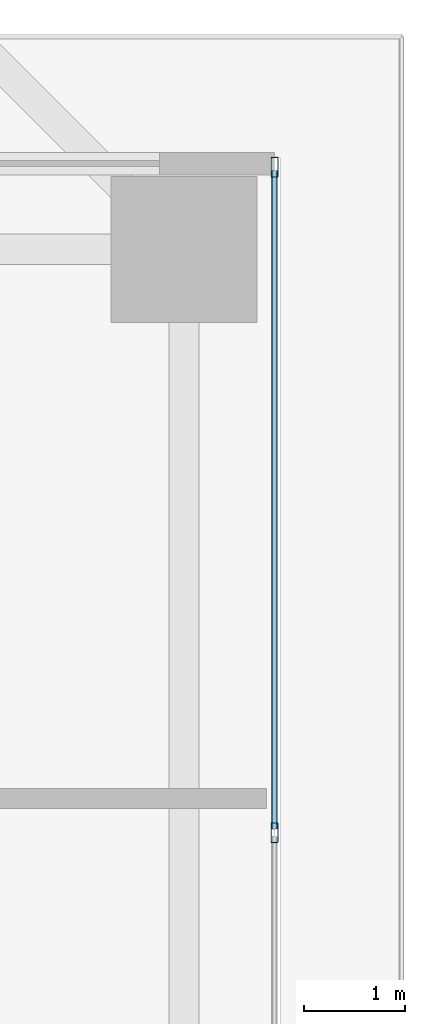
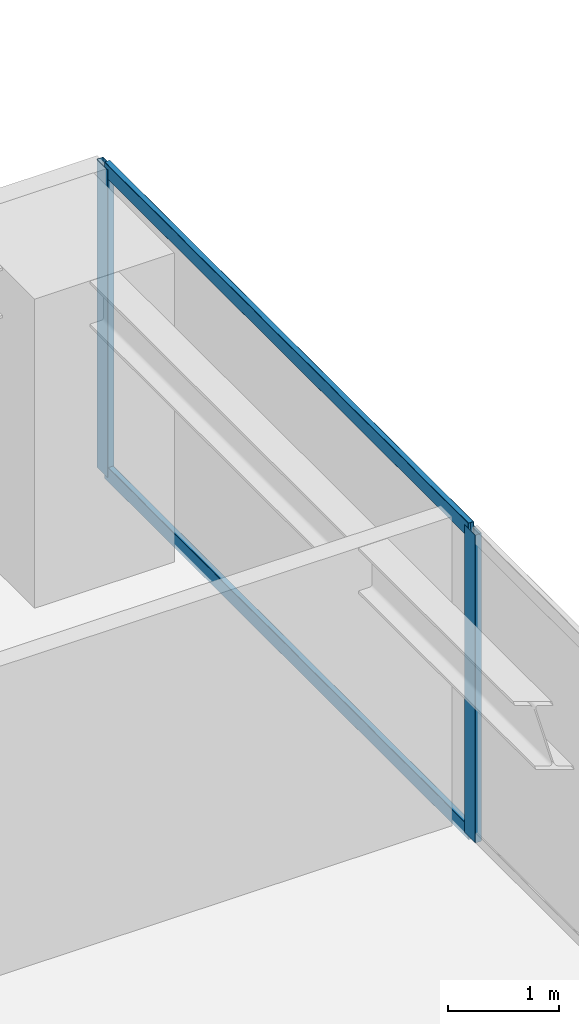
# One storey, part 23 of 40: 4 members, 1 element without a shape of its own.
"""IFC4 building model written with IfcOpenShell, lengths in metres."""

from ifc_helpers import new_model, si_unit, direction, frame, origin, origin_2d, place, context, subcontext, project, spatial, hollow_rectangle, extrude, source, transform, mapped, material, layer, layer_set, material_profile, profile_set, type_object, element, aggregate, save


model = new_model("IFC4")

# Units and contexts
model_context = context("Model", 3, precision=1e-05, world=origin(), true_north=direction((0.0, 1.0)))
body_context = subcontext(model_context, "Body", "Model", "MODEL_VIEW")
ifc_project = project(units=[si_unit("LENGTHUNIT", "METRE"), si_unit("AREAUNIT", "SQUARE_METRE"), si_unit("VOLUMEUNIT", "CUBIC_METRE"), si_unit("PLANEANGLEUNIT", "RADIAN"), si_unit("MASSUNIT", "GRAM", prefix="KILO")], contexts=[model_context])

# Site, building, storey
site_placement = place(None, origin())
site = spatial("IfcSite", under=ifc_project, at=site_placement, CompositionType="ELEMENT")
building_placement = place(site_placement, origin())
building = spatial("IfcBuilding", under=site, at=building_placement, Name="Serunith Strait Residences", CompositionType="ELEMENT")
storey_placement = place(building_placement, frame((0.0, 0.0, 105.449951171875)))
storey = spatial("IfcBuildingStorey", under=building, at=storey_placement, Name="L26", CompositionType="ELEMENT", Elevation=105.449951171875)

# Curtain wall, members
ifc_material = material(Name="Pale-Champagne Anodised Aluminium", Category="aluminium")
ifc_layer = layer(ifc_material, 0.199951171875, Name="Pale-Champagne Anodised Aluminium")
ifc_layer_set = layer_set([ifc_layer], Name="Pale-Champagne Anodised Aluminium")
curtain_wall_type = type_object("IfcCurtainWallType", Name="CW-SYS1", PredefinedType="NOTDEFINED", material=ifc_layer_set)
curtain_wall_placement = place(storey_placement, origin())
curtain_wall = element("IfcCurtainWall", 1, at=curtain_wall_placement, inside=storey, type_object=curtain_wall_type, Name="L26 E Unitised Fritted Curtain Wall", PredefinedType="NOTDEFINED")
ifc_material_profile_1 = material_profile(ifc_material, hollow_rectangle(XDim=0.06005859375, YDim=0.159912109375, WallThickness=0.00341796875, InnerFilletRadius=0.00537109375, OuterFilletRadius=0.0087890625, at=origin_2d()), Name="ALU 160x60x3.5")
ifc_profile_set_1 = profile_set([ifc_material_profile_1], Name="Pale-Champagne Anodised Aluminium")
member_type_1 = type_object("IfcMemberType", Name="CW-SYS1-TRAN", PredefinedType="USERDEFINED", material=ifc_profile_set_1)
shared_shape_1 = source(origin(), body_context, "Body", "SweptSolid", [
    extrude(hollow_rectangle(XDim=0.06005859375, YDim=0.159912109375, WallThickness=0.00341796875, InnerFilletRadius=0.00537109375, OuterFilletRadius=0.0087890625, at=origin_2d()), origin(), (0.0, 0.0, 1.0), 6.534912109375),
])
member_1_placement = place(storey_placement, frame((58.800048828125, 35.195068359375, 0.030029296875), z_axis=(0.0, 1.0, 0.0), x_axis=(-1.0, 0.0, 0.0)))
member_1 = element("IfcMember", 2, at=member_1_placement, type_object=member_type_1, Name="CW-1 transom 5.1", ObjectType="TRANSOM", PredefinedType="USERDEFINED", context=body_context, shape_type="MappedRepresentation", body=[
    mapped(shared_shape_1, transform((0.0, 0.0, 0.0), scale=1.0)),
])
member_2_placement = place(storey_placement, frame((58.800048828125, 35.195068359375, 3.344970703125), z_axis=(0.0, 1.0, 0.0), x_axis=(-1.0, 0.0, 0.0)))
member_2 = element("IfcMember", 3, at=member_2_placement, type_object=member_type_1, Name="CW-1 transom 5.2", ObjectType="TRANSOM", PredefinedType="USERDEFINED", context=body_context, shape_type="MappedRepresentation", body=[
    mapped(shared_shape_1, transform((0.0, 0.0, 0.0), scale=1.0)),
])
ifc_material_profile_2 = material_profile(ifc_material, hollow_rectangle(XDim=0.070068359375, YDim=0.199951171875, WallThickness=0.00390625, InnerFilletRadius=0.006103515625, OuterFilletRadius=0.010009765625, at=origin_2d()), Name="ALU 200x70x4")
ifc_profile_set_2 = profile_set([ifc_material_profile_2], Name="Pale-Champagne Anodised Aluminium")
member_type_2 = type_object("IfcMemberType", Name="CW-SYS1-MULL", PredefinedType="MULLION", material=ifc_profile_set_2)
shared_shape_2 = source(origin(), body_context, "Body", "SweptSolid", [
    extrude(hollow_rectangle(XDim=0.070068359375, YDim=0.199951171875, WallThickness=0.00390625, InnerFilletRadius=0.006103515625, OuterFilletRadius=0.010009765625, at=origin_2d()), origin(), (0.0, 0.0, 1.0), 3.375),
])
member_3_placement = place(storey_placement, frame((58.800048828125, 35.159912109375, 0.0), z_axis=(0.0, 0.0, 1.0), x_axis=(-1.0, 0.0, 0.0)))
member_3 = element("IfcMember", 4, at=member_3_placement, type_object=member_type_2, Name="CW-1 mullion 5", PredefinedType="MULLION", context=body_context, shape_type="MappedRepresentation", body=[
    mapped(shared_shape_2, transform((0.0, 0.0, 0.0), scale=1.0)),
])
member_4_placement = place(storey_placement, frame((58.800048828125, 41.764892578125, 0.0), z_axis=(0.0, 0.0, 1.0), x_axis=(-1.0, 0.0, 0.0)))
member_4 = element("IfcMember", 5, at=member_4_placement, type_object=member_type_2, Name="CW-1 mullion 6", PredefinedType="MULLION", context=body_context, shape_type="MappedRepresentation", body=[
    mapped(shared_shape_2, transform((0.0, 0.0, 0.0), scale=1.0)),
])
aggregate(curtain_wall, [member_3, member_4, member_1, member_2])

save(model, "model.ifc")
